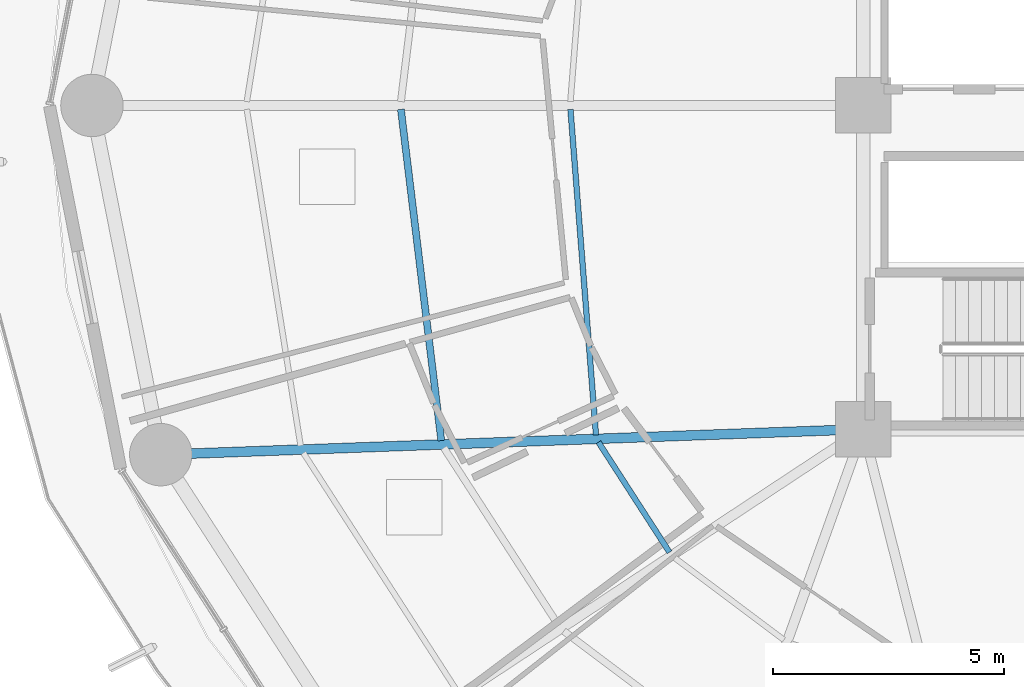
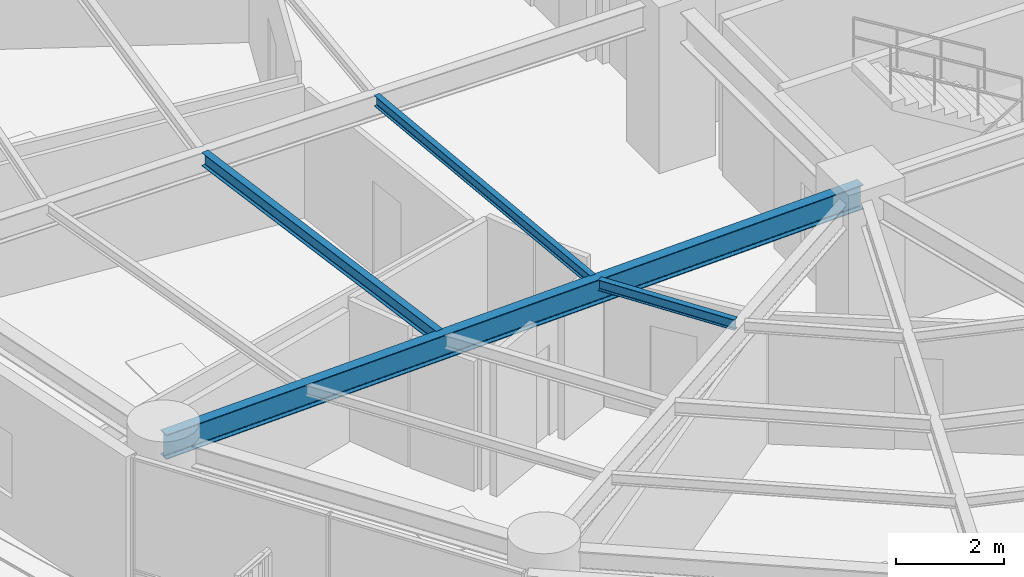
# One storey, part 7 of 38: 4 beams.
"""IFC4 building model written with IfcOpenShell, lengths in metres."""

from ifc_helpers import new_model, si_unit, direction, frame, origin, origin_2d, place, context, subcontext, project, spatial, i_section, extrude, material, material_profile, profile_set, type_object, element, save


model = new_model("IFC4")

# Units and contexts
model_context = context("Model", 3, precision=1e-05, world=origin(), true_north=direction((0.0, 1.0)))
body_context = subcontext(model_context, "Body", "Model", "MODEL_VIEW")
ifc_project = project(units=[si_unit("LENGTHUNIT", "METRE"), si_unit("AREAUNIT", "SQUARE_METRE"), si_unit("VOLUMEUNIT", "CUBIC_METRE"), si_unit("PLANEANGLEUNIT", "RADIAN"), si_unit("MASSUNIT", "GRAM", prefix="KILO")], contexts=[model_context])

# Site, building, storey
site_placement = place(None, origin())
site = spatial("IfcSite", under=ifc_project, at=site_placement, CompositionType="ELEMENT")
building_placement = place(site_placement, origin())
building = spatial("IfcBuilding", under=site, at=building_placement, Name="Kelanora Arch Commons", CompositionType="ELEMENT")
storey_placement = place(building_placement, frame((0.0, 0.0, 106.35009765625)))
storey = spatial("IfcBuildingStorey", under=building, at=storey_placement, Name="L27", CompositionType="ELEMENT", Elevation=106.35009765625)

# Beams
ifc_material = material(Name="Steel S355", Category="steel")
ifc_material_profile_1 = material_profile(ifc_material, i_section(OverallWidth=0.14990234375, OverallDepth=0.300048828125, WebThickness=0.007080078125, FlangeThickness=0.0107421875, FilletRadius=0.014892578125, at=origin_2d()), Name="IPE300")
ifc_profile_set_1 = profile_set([ifc_material_profile_1], Name="Steel S355")
beam_type_1 = type_object("IfcBeamType", Name="BM-JST-01", PredefinedType="JOIST", material=ifc_profile_set_1)
beam_1_placement = place(storey_placement, frame((56.002197265625, 57.91552734375, 3.33984375), z_axis=(0.120935645266, -0.992660349618, 0.0), x_axis=(0.992660349618, 0.120935645266, 0.0)))
element("IfcBeam", 1, at=beam_1_placement, inside=storey, type_object=beam_type_1, Name="Secondary Chord Joist BJB-18 L27", PredefinedType="JOIST", context=body_context, shape_type="SweptSolid", body=[
    extrude(i_section(OverallWidth=0.14990234375, OverallDepth=0.300048828125, WebThickness=0.007080078125, FlangeThickness=0.0107421875, FilletRadius=0.014892578125, at=origin_2d()), origin(), (0.0, 0.0, 1.0), 7.215087890625),
])
ifc_material_profile_2 = material_profile(ifc_material, i_section(OverallWidth=0.1201171875, OverallDepth=0.239990234375, WebThickness=0.006103515625, FlangeThickness=0.009765625, FilletRadius=0.014892578125, at=origin_2d()), Name="IPE240")
ifc_profile_set_2 = profile_set([ifc_material_profile_2], Name="Steel S355")
beam_type_2 = type_object("IfcBeamType", Name="BM-JST-02", PredefinedType="JOIST", material=ifc_profile_set_2)
beam_2_placement = place(storey_placement, frame((59.668212890625, 57.915283203125, 3.369873046875), z_axis=(0.078200677502, -0.996937637989, 0.0), x_axis=(0.996937637989, 0.078200677502, 0.0)))
element("IfcBeam", 2, at=beam_2_placement, inside=storey, type_object=beam_type_2, Name="Secondary Chord Joist BJA-18 L27", PredefinedType="JOIST", context=body_context, shape_type="SweptSolid", body=[
    extrude(i_section(OverallWidth=0.1201171875, OverallDepth=0.239990234375, WebThickness=0.006103515625, FlangeThickness=0.009765625, FilletRadius=0.014892578125, at=origin_2d()), origin(), (0.0, 0.0, 1.0), 7.06201171875),
])
beam_3_placement = place(storey_placement, frame((60.273193359375, 50.718994140625, 3.369873046875), z_axis=(0.542211255502, -0.840242199849, 0.0), x_axis=(0.840242199849, 0.542211255502, 0.0)))
element("IfcBeam", 3, at=beam_3_placement, inside=storey, type_object=beam_type_2, Name="Secondary Chord Joist BJA-20 L27", PredefinedType="JOIST", context=body_context, shape_type="SweptSolid", body=[
    extrude(i_section(OverallWidth=0.1201171875, OverallDepth=0.239990234375, WebThickness=0.006103515625, FlangeThickness=0.009765625, FilletRadius=0.014892578125, at=origin_2d()), origin(), (0.0, 0.0, 1.0), 2.83349609375),
])
ifc_material_profile_3 = material_profile(ifc_material, i_section(OverallWidth=0.2099609375, OverallDepth=0.550048828125, WebThickness=0.010986328125, FlangeThickness=0.01708984375, FilletRadius=0.02392578125, at=origin_2d()), Name="IPE550")
ifc_profile_set_3 = profile_set([ifc_material_profile_3], Name="Steel S355")
beam_type_3 = type_object("IfcBeamType", Name="BM-RAD-Z2", PredefinedType="BEAM", material=ifc_profile_set_3)
beam_4_placement = place(storey_placement, frame((66.0, 51.0, 3.21484375), z_axis=(-0.999341087625, -0.036295875581, 0.0), x_axis=(0.036295875581, -0.999341087625, 0.0)))
element("IfcBeam", 4, at=beam_4_placement, inside=storey, type_object=beam_type_3, Name="Radial Floor Girder BR-20 L27", PredefinedType="BEAM", context=body_context, shape_type="SweptSolid", body=[
    extrude(i_section(OverallWidth=0.2099609375, OverallDepth=0.550048828125, WebThickness=0.010986328125, FlangeThickness=0.01708984375, FilletRadius=0.02392578125, at=origin_2d()), origin(), (0.0, 0.0, 1.0), 15.20166015625),
])

save(model, "model.ifc")
